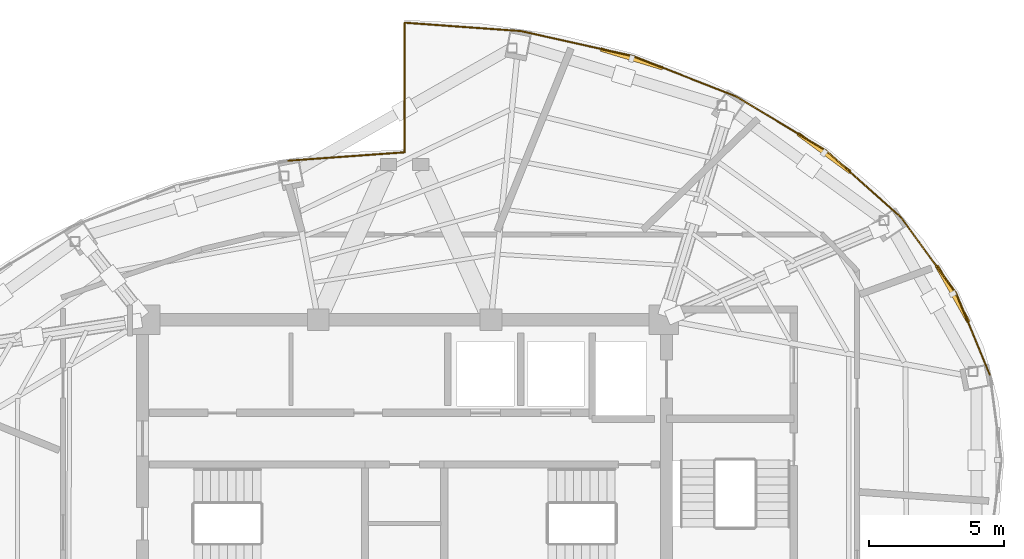
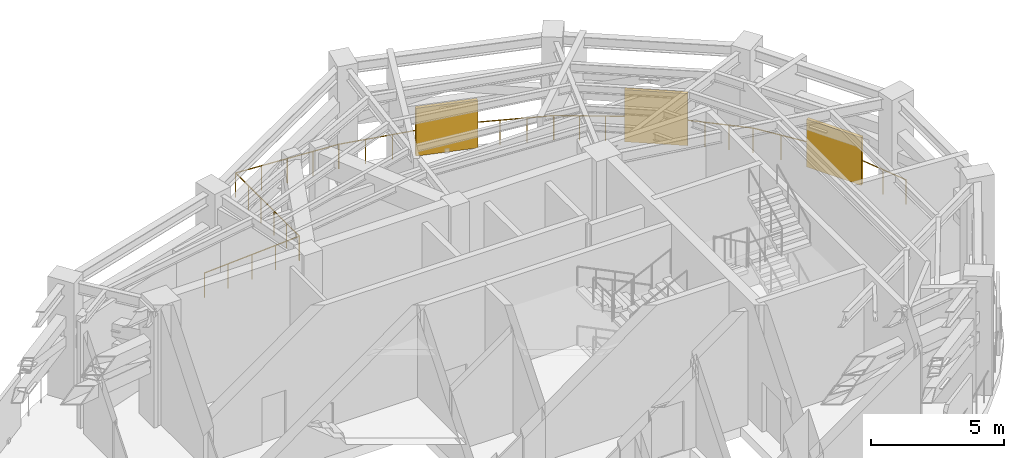
# One storey, part 12 of 12: 9 railings, 3 shading devices.
"""IFC4 building model written with IfcOpenShell, lengths in metres."""

import ifcopenshell
import ifcopenshell.guid

model = None  # the IFC model being written
_history = None  # IfcOwnerHistory: only IFC2X3 demands one
_inside = {}  # id of a spatial element -> (the spatial element, [elements in it])
_under = {}  # id of a project, library or spatial element -> (it, [spatial elements below it])
_declared = {}  # id of a project -> (the project, [libraries it declares])
_typed = {}  # id of a type object -> (the type object, [elements of that type])
_made_of = {}  # id of a material, layer set ... -> (it, [elements and type objects made of it])


def new_model(schema):
    """Start an empty IFC model of exactly this schema.

    Asked for "IFC4X3", IfcOpenShell would pick the latest addendum, in which some entities
    have other attributes; the version numbers below select the first issue.
    IFC2X3 requires an IfcOwnerHistory on every rooted entity: one is made here for all.
    """
    global model, _history
    if schema == "IFC4X3":
        model = ifcopenshell.file(schema_version=(4, 3, 0, 0))
    else:
        model = ifcopenshell.file(schema=schema)
    _inside.clear()
    _under.clear()
    _declared.clear()
    _typed.clear()
    _made_of.clear()
    _history = None
    if model.schema == "IFC2X3":
        org = make("IfcOrganization", Name="unknown")
        user = make(
            "IfcPersonAndOrganization",
            ThePerson=make("IfcPerson", FamilyName="unknown"),
            TheOrganization=org,
        )
        app = make(
            "IfcApplication",
            ApplicationDeveloper=org,
            Version="unknown",
            ApplicationFullName="unknown",
            ApplicationIdentifier="unknown",
        )
        _history = make(
            "IfcOwnerHistory",
            OwningUser=user,
            OwningApplication=app,
            ChangeAction="ADDED",
            CreationDate=0,
        )
    return model


def make(cls, **values):
    """One entity of the class cls with the attributes given. An attribute that is None is left unset."""
    return model.create_entity(
        cls, **{name: value for name, value in values.items() if value is not None}
    )


def rooted(cls, **values):
    """An entity with a GlobalId (a new one), such as an element, a storey or a relation."""
    return make(cls, GlobalId=ifcopenshell.guid.new(), OwnerHistory=_history, **values)


def si_unit(unit_type, name, prefix=None):
    """IfcSIUnit, for example si_unit("LENGTHUNIT", "METRE", prefix="MILLI")."""
    return make("IfcSIUnit", UnitType=unit_type, Prefix=prefix, Name=name)


def assignment(units):
    """IfcUnitAssignment: the units of a project."""
    return None if units is None else make("IfcUnitAssignment", Units=units)


def point(xyz):
    """IfcCartesianPoint."""
    return None if xyz is None else make("IfcCartesianPoint", Coordinates=xyz)


def direction(xyz):
    """IfcDirection."""
    return None if xyz is None else make("IfcDirection", DirectionRatios=xyz)


def frame(location, z_axis=None, x_axis=None):
    """IfcAxis2Placement3D, a coordinate frame: its origin and axes. An axis left out is left unset."""
    return make(
        "IfcAxis2Placement3D",
        Location=point(location),
        Axis=direction(z_axis),
        RefDirection=direction(x_axis),
    )


def frame_2d(location, x_axis=None):
    """IfcAxis2Placement2D, a coordinate frame in the plane: its origin and x axis."""
    return make(
        "IfcAxis2Placement2D", Location=point(location), RefDirection=direction(x_axis)
    )


def origin():
    """The frame at (0, 0, 0) with its axes left unset."""
    return frame((0.0, 0.0, 0.0))


def origin_2d():
    """The frame at (0, 0) in the plane with its x axis left unset."""
    return frame_2d((0.0, 0.0))


def place(relative_to, where):
    """IfcLocalPlacement: puts the frame where relative to a parent placement (None: the world)."""
    return make(
        "IfcLocalPlacement", PlacementRelTo=relative_to, RelativePlacement=where
    )


def context(
    kind, dimensions, precision=None, world=None, true_north=None, identifier=None
):
    """IfcGeometricRepresentationContext, for example the 3D "Model" context."""
    return make(
        "IfcGeometricRepresentationContext",
        ContextIdentifier=identifier,
        ContextType=kind,
        CoordinateSpaceDimension=dimensions,
        Precision=precision,
        WorldCoordinateSystem=world,
        TrueNorth=true_north,
    )


def subcontext(parent, identifier, kind, view, scale=None):
    """IfcGeometricRepresentationSubContext, for example "Body" below "Model"."""
    return make(
        "IfcGeometricRepresentationSubContext",
        ContextIdentifier=identifier,
        ContextType=kind,
        ParentContext=parent,
        TargetScale=scale,
        TargetView=view,
    )


def project(units=None, contexts=None):
    """IfcProject with its units and contexts."""
    return rooted(
        "IfcProject",
        Name="project",
        RepresentationContexts=contexts,
        UnitsInContext=assignment(units),
    )


def spatial(cls, under=None, at=None, **own):
    """A site, building, storey or space (cls), placed at a placement, below another one or the project."""
    s = rooted(cls, ObjectPlacement=at, **own)
    if under is not None:
        _under.setdefault(under.id(), (under, []))[1].append(s)
    return s


def profile(cls, at=None, kind="AREA", **sizes):
    """A parametric profile (cls). Its sizes go by their IFC names, for example OverallWidth=200.0."""
    return make(cls, ProfileType=kind, Position=at, **sizes)


def rectangle(**sizes):
    """IfcRectangleProfileDef."""
    return profile("IfcRectangleProfileDef", **sizes)


def circle(**sizes):
    """IfcCircleProfileDef."""
    return profile("IfcCircleProfileDef", **sizes)


def extrude(swept, where, along, depth):
    """IfcExtrudedAreaSolid: the profile swept, set in the frame where, extruded along a direction by depth."""
    return make(
        "IfcExtrudedAreaSolid",
        SweptArea=swept,
        Position=where,
        ExtrudedDirection=direction(along),
        Depth=depth,
    )


def shape(context_of_items, identifier, shape_type, items):
    """IfcShapeRepresentation: the items that make up one representation, for example the "Body"."""
    return make(
        "IfcShapeRepresentation",
        ContextOfItems=context_of_items,
        RepresentationIdentifier=identifier,
        RepresentationType=shape_type,
        Items=items,
    )


def material(Name=None, Category=None):
    """IfcMaterial."""
    return make("IfcMaterial", Name=Name, Category=Category)


def made_of(thing, what):
    """Note that an element or type object is made of a material, layer set ...; save() writes the relation."""
    if what is not None:
        _made_of.setdefault(what.id(), (what, []))[1].append(thing)
    return thing


def type_object(cls, material=None, **own):
    """A type object (cls), such as IfcWallType, which elements share."""
    return made_of(rooted(cls, **own), material)


def element(
    cls,
    number,
    at=None,
    inside=None,
    cuts=None,
    type_object=None,
    material=None,
    context=None,
    identifier="Body",
    shape_type=None,
    held_by="IfcProductDefinitionShape",
    body=None,
    shapes=None,
    **own,
):
    """One element of the class cls, such as IfcWall. Its Tag is "e" and its number.

    at: its placement. inside: the storey or other place that contains it. cuts: it is an
    opening in that element (IfcRelVoidsElement). A single representation is given by context,
    identifier, shape_type and body (its items); several are given by shapes. held_by: the class
    of the entity that holds the representations. save() writes the other relations.
    """
    e = rooted(cls, Tag="e%d" % number, ObjectPlacement=at, **own)
    if body is not None:
        shapes = [shape(context, identifier, shape_type, body)]
    if shapes is not None:
        e.Representation = make(held_by, Representations=shapes)
    if inside is not None:
        _inside.setdefault(inside.id(), (inside, []))[1].append(e)
    if cuts is not None:
        rooted(
            "IfcRelVoidsElement", RelatingBuildingElement=cuts, RelatedOpeningElement=e
        )
    if type_object is not None:
        _typed.setdefault(type_object.id(), (type_object, []))[1].append(e)
    return made_of(e, material)


def aggregate(whole, parts):
    """IfcRelAggregates: a whole, such as a stair, and the parts it consists of."""
    return rooted("IfcRelAggregates", RelatingObject=whole, RelatedObjects=parts)


def save(model, path):
    """Write the relations noted so far, then the file.

    IfcRelAggregates (storeys below a building ...), IfcRelContainedInSpatialStructure (elements
    in a storey), IfcRelDefinesByType, IfcRelAssociatesMaterial and IfcRelDeclares: one each for
    every whole, place, type object, material and project.
    """
    for whole, parts in _under.values():
        aggregate(whole, parts)
    for where, things in _inside.values():
        rooted(
            "IfcRelContainedInSpatialStructure",
            RelatedElements=things,
            RelatingStructure=where,
        )
    for kind, things in _typed.values():
        rooted("IfcRelDefinesByType", RelatedObjects=things, RelatingType=kind)
    for what, things in _made_of.values():
        rooted("IfcRelAssociatesMaterial", RelatedObjects=things, RelatingMaterial=what)
    for by, libraries in _declared.values():
        rooted("IfcRelDeclares", RelatingContext=by, RelatedDefinitions=libraries)
    model.write(path)


model = new_model("IFC4")

# Units and contexts
model_context = context("Model", 3, precision=1e-05, world=origin(), true_north=direction((0.0, 1.0)))
body_context = subcontext(model_context, "Body", "Model", "MODEL_VIEW")
ifc_project = project(units=[si_unit("LENGTHUNIT", "METRE"), si_unit("AREAUNIT", "SQUARE_METRE"), si_unit("VOLUMEUNIT", "CUBIC_METRE"), si_unit("PLANEANGLEUNIT", "RADIAN"), si_unit("MASSUNIT", "GRAM", prefix="KILO")], contexts=[model_context])

# Site, building, storey
site_placement = place(None, origin())
site = spatial("IfcSite", under=ifc_project, at=site_placement, CompositionType="ELEMENT")
building_placement = place(site_placement, origin())
building = spatial("IfcBuilding", under=site, at=building_placement, Name="Lazwardi Medical Tower", CompositionType="ELEMENT")
storey_placement = place(building_placement, frame((0.0, 0.0, 245.904052734375)))
storey = spatial("IfcBuildingStorey", under=building, at=storey_placement, Name="L64", CompositionType="ELEMENT", Elevation=245.904052734375)

# Railings
ifc_material_1 = material(Name="Anodised bronze aluminium", Category="aluminium")
railing_type = type_object("IfcRailingType", Name="RLG-BAL-1100", PredefinedType="BALUSTRADE", material=ifc_material_1)
railing_1_placement = place(storey_placement, frame((57.67529296875, 33.560546875, 0.0)))
element("IfcRailing", 1, at=railing_1_placement, inside=storey, type_object=railing_type, Name="L64 Refuge Band Perimeter Balustrade 10", PredefinedType="BALUSTRADE", context=body_context, shape_type="SweptSolid", body=[
    extrude(circle(Radius=0.02392578125, at=origin_2d()), frame((0.0, 0.0, 1.1259765625), z_axis=(-0.382358349065, 0.924014119427, 0.0), x_axis=(-0.924014119427, -0.382358349065, 0.0)), (0.0, 0.0, 1.0), 3.2890625),
    extrude(circle(Radius=0.02099609375, at=origin_2d()), origin(), (0.0, 0.0, 1.0), 1.099853515625),
    extrude(circle(Radius=0.02099609375, at=origin_2d()), frame((-0.419189453125, 1.012939453125, 0.0)), (0.0, 0.0, 1.0), 1.099853515625),
    extrude(circle(Radius=0.02099609375, at=origin_2d()), frame((-0.83837890625, 2.026123046875, 0.0)), (0.0, 0.0, 1.0), 1.099853515625),
    extrude(circle(Radius=0.02099609375, at=origin_2d()), frame((-1.257568359375, 3.0390625, 0.0)), (0.0, 0.0, 1.0), 1.099853515625),
])
railing_2_placement = place(storey_placement, frame((56.417724609375, 36.599609375, 0.0)))
element("IfcRailing", 2, at=railing_2_placement, inside=storey, type_object=railing_type, Name="L64 Refuge Band Perimeter Balustrade 11", PredefinedType="BALUSTRADE", context=body_context, shape_type="SweptSolid", body=[
    extrude(circle(Radius=0.02392578125, at=origin_2d()), frame((0.0, 0.0, 1.1259765625), z_axis=(-0.589205688877, 0.807983079152, 0.0), x_axis=(-0.807983079152, -0.589205688877, 0.0)), (0.0, 0.0, 1.0), 3.466064453125),
    extrude(circle(Radius=0.02099609375, at=origin_2d()), origin(), (0.0, 0.0, 1.0), 1.099853515625),
    extrude(circle(Radius=0.02099609375, at=origin_2d()), frame((-0.6806640625, 0.93359375, 0.0)), (0.0, 0.0, 1.0), 1.099853515625),
    extrude(circle(Radius=0.02099609375, at=origin_2d()), frame((-1.361572265625, 1.866943359375, 0.0)), (0.0, 0.0, 1.0), 1.099853515625),
    extrude(circle(Radius=0.02099609375, at=origin_2d()), frame((-2.042236328125, 2.800537109375, 0.0)), (0.0, 0.0, 1.0), 1.099853515625),
])
railing_3_placement = place(storey_placement, frame((54.37548828125, 39.400146484375, 0.0)))
element("IfcRailing", 3, at=railing_3_placement, inside=storey, type_object=railing_type, Name="L64 Refuge Band Perimeter Balustrade 12", PredefinedType="BALUSTRADE", context=body_context, shape_type="SweptSolid", body=[
    extrude(circle(Radius=0.02392578125, at=origin_2d()), frame((0.0, 0.0, 1.1259765625), z_axis=(-0.745802461417, 0.666167162614, 0.0), x_axis=(-0.666167162614, -0.745802461417, 0.0)), (0.0, 0.0, 1.0), 3.68505859375),
    extrude(circle(Radius=0.02099609375, at=origin_2d()), origin(), (0.0, 0.0, 1.0), 1.099853515625),
    extrude(circle(Radius=0.02099609375, at=origin_2d()), frame((-0.68701171875, 0.61376953125, 0.0)), (0.0, 0.0, 1.0), 1.099853515625),
    extrude(circle(Radius=0.02099609375, at=origin_2d()), frame((-1.3740234375, 1.2275390625, 0.0)), (0.0, 0.0, 1.0), 1.099853515625),
    extrude(circle(Radius=0.02099609375, at=origin_2d()), frame((-2.061279296875, 1.841064453125, 0.0)), (0.0, 0.0, 1.0), 1.099853515625),
    extrude(circle(Radius=0.02099609375, at=origin_2d()), frame((-2.748291015625, 2.454833984375, 0.0)), (0.0, 0.0, 1.0), 1.099853515625),
])
railing_4_placement = place(storey_placement, frame((51.627197265625, 41.85498046875, 0.0)))
element("IfcRailing", 4, at=railing_4_placement, inside=storey, type_object=railing_type, Name="L64 Refuge Band Perimeter Balustrade 13", PredefinedType="BALUSTRADE", context=body_context, shape_type="SweptSolid", body=[
    extrude(circle(Radius=0.02392578125, at=origin_2d()), frame((0.0, 0.0, 1.1259765625), z_axis=(-0.85688054017, 0.515515023912, 0.0), x_axis=(-0.515515023912, -0.85688054017, 0.0)), (0.0, 0.0, 1.0), 3.908447265625),
    extrude(circle(Radius=0.02099609375, at=origin_2d()), origin(), (0.0, 0.0, 1.0), 1.099853515625),
    extrude(circle(Radius=0.02099609375, at=origin_2d()), frame((-0.83740234375, 0.503662109375, 0.0)), (0.0, 0.0, 1.0), 1.099853515625),
    extrude(circle(Radius=0.02099609375, at=origin_2d()), frame((-1.674560546875, 1.00732421875, 0.0)), (0.0, 0.0, 1.0), 1.099853515625),
    extrude(circle(Radius=0.02099609375, at=origin_2d()), frame((-2.51171875, 1.51123046875, 0.0)), (0.0, 0.0, 1.0), 1.099853515625),
    extrude(circle(Radius=0.02099609375, at=origin_2d()), frame((-3.34912109375, 2.014892578125, 0.0)), (0.0, 0.0, 1.0), 1.099853515625),
])
railing_5_placement = place(storey_placement, frame((48.278076171875, 43.869873046875, 0.0)))
element("IfcRailing", 5, at=railing_5_placement, inside=storey, type_object=railing_type, Name="L64 Refuge Band Perimeter Balustrade 14", PredefinedType="BALUSTRADE", context=body_context, shape_type="SweptSolid", body=[
    extrude(circle(Radius=0.02392578125, at=origin_2d()), frame((0.0, 0.0, 1.1259765625), z_axis=(-0.931099626879, 0.364764972038, 0.0), x_axis=(-0.364764972038, -0.931099626879, 0.0)), (0.0, 0.0, 1.0), 4.103515625),
    extrude(circle(Radius=0.02099609375, at=origin_2d()), origin(), (0.0, 0.0, 1.0), 1.099853515625),
    extrude(circle(Radius=0.02099609375, at=origin_2d()), frame((-0.955078125, 0.374267578125, 0.0)), (0.0, 0.0, 1.0), 1.099853515625),
    extrude(circle(Radius=0.02099609375, at=origin_2d()), frame((-1.910400390625, 0.74853515625, 0.0)), (0.0, 0.0, 1.0), 1.099853515625),
    extrude(circle(Radius=0.02099609375, at=origin_2d()), frame((-2.86572265625, 1.12255859375, 0.0)), (0.0, 0.0, 1.0), 1.099853515625),
    extrude(circle(Radius=0.02099609375, at=origin_2d()), frame((-3.82080078125, 1.496826171875, 0.0)), (0.0, 0.0, 1.0), 1.099853515625),
])
railing_6_placement = place(storey_placement, frame((44.457275390625, 45.36669921875, 0.0)))
element("IfcRailing", 6, at=railing_6_placement, inside=storey, type_object=railing_type, Name="L64 Refuge Band Perimeter Balustrade 15", PredefinedType="BALUSTRADE", context=body_context, shape_type="SweptSolid", body=[
    extrude(circle(Radius=0.02392578125, at=origin_2d()), frame((0.0, 0.0, 1.1259765625), z_axis=(-0.976145112043, 0.217119138342, 0.0), x_axis=(-0.217119138342, -0.976145112043, 0.0)), (0.0, 0.0, 1.0), 4.2470703125),
    extrude(circle(Radius=0.02099609375, at=origin_2d()), origin(), (0.0, 0.0, 1.0), 1.099853515625),
    extrude(circle(Radius=0.02099609375, at=origin_2d()), frame((-1.036376953125, 0.23046875, 0.0)), (0.0, 0.0, 1.0), 1.099853515625),
    extrude(circle(Radius=0.02099609375, at=origin_2d()), frame((-2.07275390625, 0.4609375, 0.0)), (0.0, 0.0, 1.0), 1.099853515625),
    extrude(circle(Radius=0.02099609375, at=origin_2d()), frame((-3.109375, 0.691650390625, 0.0)), (0.0, 0.0, 1.0), 1.099853515625),
    extrude(circle(Radius=0.02099609375, at=origin_2d()), frame((-4.145751953125, 0.922119140625, 0.0)), (0.0, 0.0, 1.0), 1.099853515625),
])
railing_7_placement = place(storey_placement, frame((40.3115234375, 46.288818359375, 0.0)))
element("IfcRailing", 7, at=railing_7_placement, inside=storey, type_object=railing_type, Name="L64 Refuge Band Perimeter Balustrade 16", PredefinedType="BALUSTRADE", context=body_context, shape_type="SweptSolid", body=[
    extrude(circle(Radius=0.02392578125, at=origin_2d()), frame((0.0, 0.0, 1.1259765625), z_axis=(-0.99740393701, 0.072009627389, 0.0), x_axis=(-0.072009627389, -0.99740393701, 0.0)), (0.0, 0.0, 1.0), 4.32275390625),
    extrude(circle(Radius=0.02099609375, at=origin_2d()), origin(), (0.0, 0.0, 1.0), 1.099853515625),
    extrude(circle(Radius=0.02099609375, at=origin_2d()), frame((-1.077880859375, 0.077880859375, 0.0)), (0.0, 0.0, 1.0), 1.099853515625),
    extrude(circle(Radius=0.02099609375, at=origin_2d()), frame((-2.15576171875, 0.15576171875, 0.0)), (0.0, 0.0, 1.0), 1.099853515625),
    extrude(circle(Radius=0.02099609375, at=origin_2d()), frame((-3.233642578125, 0.2333984375, 0.0)), (0.0, 0.0, 1.0), 1.099853515625),
    extrude(circle(Radius=0.02099609375, at=origin_2d()), frame((-4.3115234375, 0.311279296875, 0.0)), (0.0, 0.0, 1.0), 1.099853515625),
])
railing_8_placement = place(storey_placement, frame((36.0, 46.60009765625, 0.0)))
element("IfcRailing", 8, at=railing_8_placement, inside=storey, type_object=railing_type, Name="L64 Refuge Band Perimeter Balustrade 17", PredefinedType="BALUSTRADE", context=body_context, shape_type="SweptSolid", body=[
    extrude(circle(Radius=0.02392578125, at=origin_2d()), frame((0.0, 0.0, 1.1259765625), z_axis=(0.0, -1.0, 0.0), x_axis=(1.0, 0.0, 0.0)), (0.0, 0.0, 1.0), 4.800048828125),
    extrude(circle(Radius=0.02099609375, at=origin_2d()), origin(), (0.0, 0.0, 1.0), 1.099853515625),
    extrude(circle(Radius=0.02099609375, at=origin_2d()), frame((0.0, -0.9599609375, 0.0)), (0.0, 0.0, 1.0), 1.099853515625),
    extrude(circle(Radius=0.02099609375, at=origin_2d()), frame((0.0, -1.919921875, 0.0)), (0.0, 0.0, 1.0), 1.099853515625),
    extrude(circle(Radius=0.02099609375, at=origin_2d()), frame((0.0, -2.880126953125, 0.0)), (0.0, 0.0, 1.0), 1.099853515625),
    extrude(circle(Radius=0.02099609375, at=origin_2d()), frame((0.0, -3.840087890625, 0.0)), (0.0, 0.0, 1.0), 1.099853515625),
    extrude(circle(Radius=0.02099609375, at=origin_2d()), frame((0.0, -4.800048828125, 0.0)), (0.0, 0.0, 1.0), 1.099853515625),
])
railing_9_placement = place(storey_placement, frame((36.0, 41.800048828125, 0.0)))
element("IfcRailing", 9, at=railing_9_placement, inside=storey, type_object=railing_type, Name="L64 Refuge Band Perimeter Balustrade 18", PredefinedType="BALUSTRADE", context=body_context, shape_type="SweptSolid", body=[
    extrude(circle(Radius=0.02392578125, at=origin_2d()), frame((0.0, 0.0, 1.1259765625), z_axis=(-0.99740393701, -0.072009627389, 0.0), x_axis=(0.072009627389, -0.99740393701, 0.0)), (0.0, 0.0, 1.0), 4.32275390625),
    extrude(circle(Radius=0.02099609375, at=origin_2d()), origin(), (0.0, 0.0, 1.0), 1.099853515625),
    extrude(circle(Radius=0.02099609375, at=origin_2d()), frame((-1.077880859375, -0.077880859375, 0.0)), (0.0, 0.0, 1.0), 1.099853515625),
    extrude(circle(Radius=0.02099609375, at=origin_2d()), frame((-2.15576171875, -0.15576171875, 0.0)), (0.0, 0.0, 1.0), 1.099853515625),
    extrude(circle(Radius=0.02099609375, at=origin_2d()), frame((-3.233642578125, -0.2333984375, 0.0)), (0.0, 0.0, 1.0), 1.099853515625),
    extrude(circle(Radius=0.02099609375, at=origin_2d()), frame((-4.3115234375, -0.311279296875, 0.0)), (0.0, 0.0, 1.0), 1.099853515625),
])

# Shading devices
ifc_material_2 = material(Name="Anodised bronze aluminium storm louvre", Category="aluminium")
shading_device_type_1 = type_object("IfcShadingDeviceType", Name="SHD-LVR-01", PredefinedType="JALOUSIE", material=ifc_material_2)
for number, where, z_axis, x_axis, name in (
    (10, (56.299560546875, 36.5576171875, 0.0), (0.0, 0.0, 1.0), (-0.492324818213, 0.87041155402, 0.0), "L64 Tropical Storm Louvre 05"),
    (11, (44.408203125, 45.265380859375, 0.0), (0.0, 0.0, 1.0), (-0.956938815792, 0.290289687778, 0.0), "L64 Tropical Storm Louvre 07"),
):
    element("IfcShadingDevice", number, at=place(storey_placement, frame(where, z_axis=z_axis, x_axis=x_axis)), inside=storey, type_object=shading_device_type_1, Name=name, PredefinedType="JALOUSIE", context=body_context, shape_type="SweptSolid", body=[
        extrude(rectangle(XDim=2.39990234375, YDim=0.139892578125, at=origin_2d()), origin(), (0.0, 0.0, 1.0), 2.199951171875),
    ])
ifc_material_3 = material(Name="Perforated bronze girih solar screen", Category="aluminium")
shading_device_type_2 = type_object("IfcShadingDeviceType", Name="SHD-SCR-01", PredefinedType="USERDEFINED", material=ifc_material_3)
shading_device_placement = place(storey_placement, frame((51.53662109375, 41.777587890625, 0.0), z_axis=(0.0, 0.0, 1.0), x_axis=(-0.806793290072, 0.590833806662, 0.0)))
element("IfcShadingDevice", 12, at=shading_device_placement, inside=storey, type_object=shading_device_type_2, Name="L64 Bronze Girih Solar Screen 06", ObjectType="SCREEN", PredefinedType="USERDEFINED", context=body_context, shape_type="SweptSolid", body=[
    extrude(rectangle(XDim=2.39990234375, YDim=0.139892578125, at=origin_2d()), origin(), (0.0, 0.0, 1.0), 2.39990234375),
])

save(model, "model.ifc")
